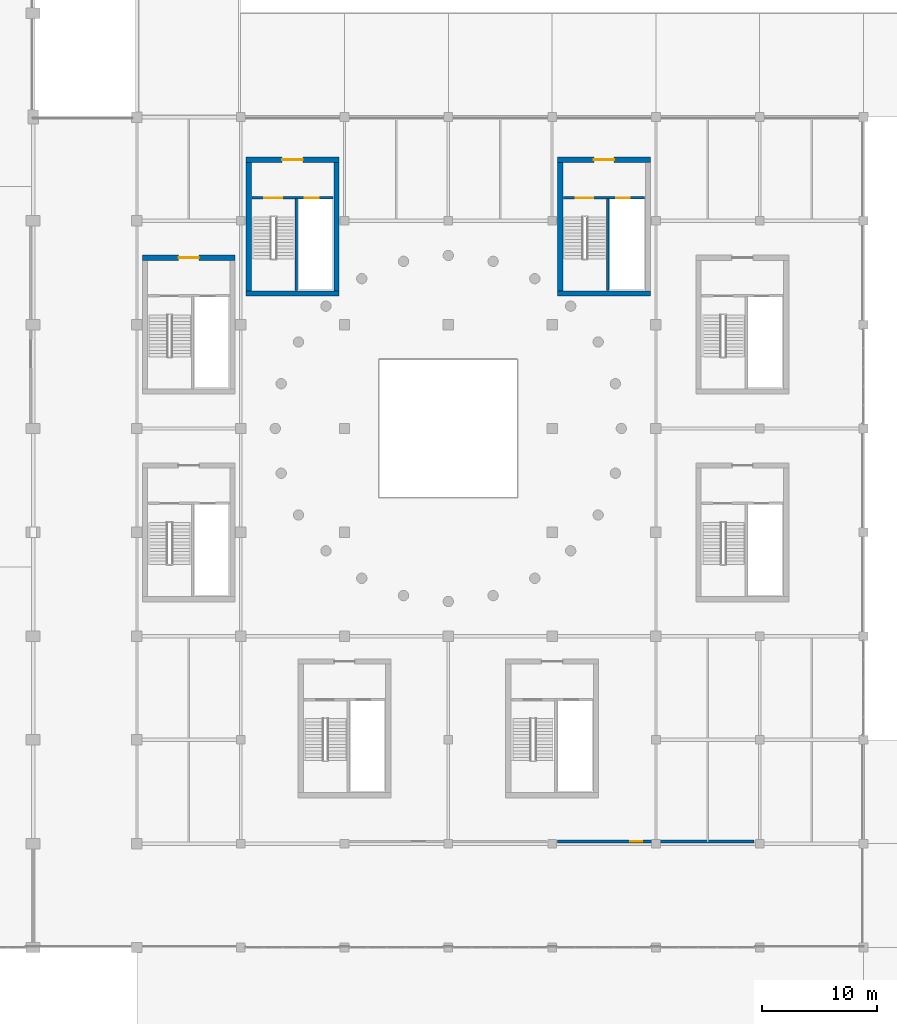
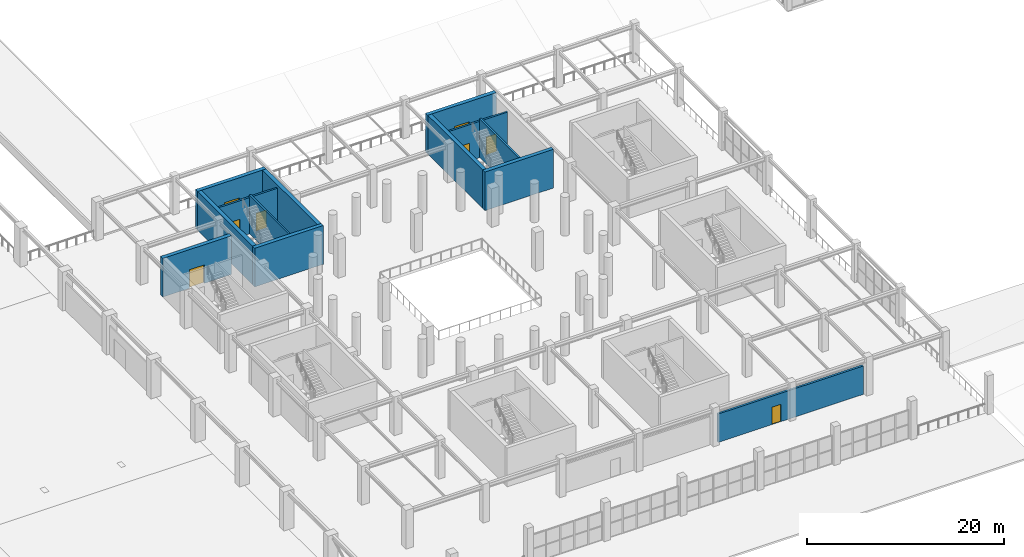
# One storey, part 63 of 89: 13 walls, 8 doors, 8 openings.
"""IFC4 building model written with IfcOpenShell, lengths in metres."""

from ifc_helpers import new_model, si_unit, direction, frame, frame_2d, origin, place, context, subcontext, project, spatial, rectangle, extrude, material, layer, layer_set, type_object, element, fill, save


model = new_model("IFC4")

# Units and contexts
model_context = context("Model", 3, precision=1e-05, world=origin(), true_north=direction((0.0, 1.0)))
body_context = subcontext(model_context, "Body", "Model", "MODEL_VIEW")
ifc_project = project(units=[si_unit("LENGTHUNIT", "METRE"), si_unit("AREAUNIT", "SQUARE_METRE"), si_unit("VOLUMEUNIT", "CUBIC_METRE"), si_unit("PLANEANGLEUNIT", "RADIAN"), si_unit("MASSUNIT", "GRAM", prefix="KILO")], contexts=[model_context])

# Site, building, storey
site_placement = place(None, origin())
site = spatial("IfcSite", under=ifc_project, at=site_placement, CompositionType="ELEMENT")
building_placement = place(site_placement, origin())
building = spatial("IfcBuilding", under=site, at=building_placement, Name="Dornveld Trade and Exhibition Forum", CompositionType="ELEMENT")
storey_placement = place(building_placement, frame((0.0, 0.0, 12.0)))
storey = spatial("IfcBuildingStorey", under=building, at=storey_placement, Name="L02", CompositionType="ELEMENT", Elevation=12.0)

# Wall
ifc_material_1 = material(Name="Concrete C40/50", Category="concrete")
ifc_layer_1 = layer(ifc_material_1, 0.449951171875)
ifc_layer_set_1 = layer_set([ifc_layer_1], Name="Concrete C40/50")
wall_type_1 = type_object("IfcWallType", Name="WL-CORE-450", PredefinedType="SHEAR", material=ifc_layer_set_1)
wall_1_placement = place(storey_placement, frame((126.47509765625, 92.699951171875, 0.0), z_axis=(0.0, 0.0, 1.0), x_axis=(1.0, 0.0, 0.0)))
element("IfcWall", 1, at=wall_1_placement, inside=storey, type_object=wall_type_1, Name="CORE-02 L02 shear wall S", PredefinedType="SHEAR", context=body_context, shape_type="SweptSolid", body=[
    extrude(rectangle(XDim=8.0498046875, YDim=0.449951171875, at=frame_2d((4.02490234375, 0.0))), origin(), (0.0, 0.0, 1.0), 4.800048828125),
])

# Wall, opening, door
wall_2_placement = place(storey_placement, frame((126.47509765625, 104.300048828125, 0.0), z_axis=(0.0, 0.0, 1.0), x_axis=(1.0, 0.0, 0.0)))
wall_2 = element("IfcWall", 2, at=wall_2_placement, inside=storey, type_object=wall_type_1, Name="CORE-02 L02 shear wall N", PredefinedType="SHEAR", context=body_context, shape_type="SweptSolid", body=[
    extrude(rectangle(XDim=8.0498046875, YDim=0.449951171875, at=frame_2d((4.02490234375, 0.0))), origin(), (0.0, 0.0, 1.0), 4.800048828125),
])
opening_1_placement = place(wall_2_placement, frame((3.14990234375, 0.0, 0.0)))
opening_1 = element("IfcOpeningElement", 3, at=opening_1_placement, cuts=wall_2, Name="Opening CD-02-L02", PredefinedType="OPENING", context=body_context, shape_type="SweptSolid", body=[
    extrude(rectangle(XDim=1.75, YDim=2.300048828125, at=frame_2d((0.875, 1.14990234375))), frame((0.0, 0.23486328125, 0.0), z_axis=(0.0, -1.0, 0.0), x_axis=(1.0, 0.0, 0.0)), (0.0, 0.0, 1.0), 0.469970703125),
])
ifc_material_2 = material(Name="Steel fire-rated double door assembly", Category="steel")
door_type_1 = type_object("IfcDoorType", Name="DR-CORE-175x230", OperationType="NOTDEFINED", PredefinedType="DOOR", material=ifc_material_2)
door_1_placement = place(opening_1_placement, origin())
door_1 = element("IfcDoor", 4, at=door_1_placement, inside=storey, type_object=door_type_1, Name="CORE-02 L02 core lobby double fire door", OperationType="DOUBLE_DOOR_SINGLE_SWING", OverallHeight=2.300048828125, OverallWidth=1.75, PredefinedType="DOOR", context=body_context, shape_type="SweptSolid", body=[
    extrude(rectangle(XDim=1.75, YDim=2.300048828125, at=frame_2d((0.875, 1.14990234375))), frame((0.0, 0.02490234375, 0.0), z_axis=(0.0, -1.0, 0.0), x_axis=(1.0, 0.0, 0.0)), (0.0, 0.0, 1.0), 0.050048828125),
])
fill(opening_1, door_1)

# Walls
wall_3_placement = place(storey_placement, frame((126.699951171875, 92.925048828125, 0.0), z_axis=(0.0, 0.0, 1.0), x_axis=(0.0, 1.0, 0.0)))
element("IfcWall", 5, at=wall_3_placement, inside=storey, type_object=wall_type_1, Name="CORE-02 L02 shear wall W", PredefinedType="SHEAR", context=body_context, shape_type="SweptSolid", body=[
    extrude(rectangle(XDim=11.14990234375, YDim=0.449951171875, at=frame_2d((5.574951171875, 0.0))), origin(), (0.0, 0.0, 1.0), 4.800048828125),
])
wall_4_placement = place(storey_placement, frame((99.47509765625, 92.699951171875, 0.0), z_axis=(0.0, 0.0, 1.0), x_axis=(1.0, 0.0, 0.0)))
element("IfcWall", 6, at=wall_4_placement, inside=storey, type_object=wall_type_1, Name="CORE-03 L02 shear wall S", PredefinedType="SHEAR", context=body_context, shape_type="SweptSolid", body=[
    extrude(rectangle(XDim=8.0498046875, YDim=0.449951171875, at=frame_2d((4.02490234375, 0.0))), origin(), (0.0, 0.0, 1.0), 4.800048828125),
])

# Wall, opening, door
wall_5_placement = place(storey_placement, frame((99.47509765625, 104.300048828125, 0.0), z_axis=(0.0, 0.0, 1.0), x_axis=(1.0, 0.0, 0.0)))
wall_5 = element("IfcWall", 7, at=wall_5_placement, inside=storey, type_object=wall_type_1, Name="CORE-03 L02 shear wall N", PredefinedType="SHEAR", context=body_context, shape_type="SweptSolid", body=[
    extrude(rectangle(XDim=8.0498046875, YDim=0.449951171875, at=frame_2d((4.02490234375, 0.0))), origin(), (0.0, 0.0, 1.0), 4.800048828125),
])
opening_2_placement = place(wall_5_placement, frame((3.125, 0.0, 0.0)))
opening_2 = element("IfcOpeningElement", 8, at=opening_2_placement, cuts=wall_5, Name="Opening CD-03-L02", PredefinedType="OPENING", context=body_context, shape_type="SweptSolid", body=[
    extrude(rectangle(XDim=1.800048828125, YDim=2.300048828125, at=frame_2d((0.89990234375, 1.14990234375))), frame((0.0, 0.23486328125, 0.0), z_axis=(0.0, -1.0, 0.0), x_axis=(1.0, 0.0, 0.0)), (0.0, 0.0, 1.0), 0.469970703125),
])
ifc_material_3 = material(Name="Steel fire-rated double door assembly", Category="steel")
door_type_2 = type_object("IfcDoorType", Name="DR-CORE-180x230", OperationType="NOTDEFINED", PredefinedType="DOOR", material=ifc_material_3)
door_2_placement = place(opening_2_placement, origin())
door_2 = element("IfcDoor", 9, at=door_2_placement, inside=storey, type_object=door_type_2, Name="CORE-03 L02 core lobby double fire door", OperationType="DOUBLE_DOOR_SINGLE_SWING", OverallHeight=2.300048828125, OverallWidth=1.800048828125, PredefinedType="DOOR", context=body_context, shape_type="SweptSolid", body=[
    extrude(rectangle(XDim=1.800048828125, YDim=2.300048828125, at=frame_2d((0.89990234375, 1.14990234375))), frame((0.0, 0.02490234375, 0.0), z_axis=(0.0, -1.0, 0.0), x_axis=(1.0, 0.0, 0.0)), (0.0, 0.0, 1.0), 0.050048828125),
])
fill(opening_2, door_2)

# Walls
for number, where, z_axis, x_axis, name in (
    (10, (99.699951171875, 92.925048828125, 0.0), (0.0, 0.0, 1.0), (0.0, 1.0, 0.0), "CORE-03 L02 shear wall W"),
    (11, (107.300048828125, 92.925048828125, 0.0), (0.0, 0.0, 1.0), (0.0, 1.0, 0.0), "CORE-03 L02 shear wall E"),
):
    element("IfcWall", number, at=place(storey_placement, frame(where, z_axis=z_axis, x_axis=x_axis)), inside=storey, type_object=wall_type_1, Name=name, PredefinedType="SHEAR", context=body_context, shape_type="SweptSolid", body=[
        extrude(rectangle(XDim=11.14990234375, YDim=0.449951171875, at=frame_2d((5.574951171875, 0.0))), origin(), (0.0, 0.0, 1.0), 4.800048828125),
    ])

# Wall, opening, door
wall_6_placement = place(storey_placement, frame((90.47509765625, 95.800048828125, 0.0), z_axis=(0.0, 0.0, 1.0), x_axis=(1.0, 0.0, 0.0)))
wall_6 = element("IfcWall", 12, at=wall_6_placement, inside=storey, type_object=wall_type_1, Name="CORE-04 L02 shear wall N", PredefinedType="SHEAR", context=body_context, shape_type="SweptSolid", body=[
    extrude(rectangle(XDim=8.0498046875, YDim=0.449951171875, at=frame_2d((4.02490234375, 0.0))), origin(), (0.0, 0.0, 1.0), 4.800048828125),
])
opening_3_placement = place(wall_6_placement, frame((3.14990234375, 0.0, 0.0)))
opening_3 = element("IfcOpeningElement", 13, at=opening_3_placement, cuts=wall_6, Name="Opening CD-04-L02", PredefinedType="OPENING", context=body_context, shape_type="SweptSolid", body=[
    extrude(rectangle(XDim=1.75, YDim=2.300048828125, at=frame_2d((0.875, 1.14990234375))), frame((0.0, 0.23486328125, 0.0), z_axis=(0.0, -1.0, 0.0), x_axis=(1.0, 0.0, 0.0)), (0.0, 0.0, 1.0), 0.469970703125),
])
door_3_placement = place(opening_3_placement, origin())
door_3 = element("IfcDoor", 14, at=door_3_placement, inside=storey, type_object=door_type_1, Name="CORE-04 L02 core lobby double fire door", OperationType="DOUBLE_DOOR_SINGLE_SWING", OverallHeight=2.300048828125, OverallWidth=1.75, PredefinedType="DOOR", context=body_context, shape_type="SweptSolid", body=[
    extrude(rectangle(XDim=1.75, YDim=2.300048828125, at=frame_2d((0.875, 1.14990234375))), frame((0.0, 0.02490234375, 0.0), z_axis=(0.0, -1.0, 0.0), x_axis=(1.0, 0.0, 0.0)), (0.0, 0.0, 1.0), 0.050048828125),
])
fill(opening_3, door_3)

ifc_material_4 = material(Name="Acoustic twin-stud gypsum and mineral wool", Category="gypsum")
ifc_layer_2 = layer(ifc_material_4, 0.25)
ifc_layer_set_2 = layer_set([ifc_layer_2], Name="Acoustic twin-stud gypsum and mineral wool")
wall_type_2 = type_object("IfcWallType", Name="WL-INT-AC250", PredefinedType="PARTITIONING", material=ifc_layer_set_2)
wall_7_placement = place(storey_placement, frame((126.47998046875, 45.199951171875, 0.0), z_axis=(0.0, 0.0, 1.0), x_axis=(1.0, 0.0, 0.0)))
wall_7 = element("IfcWall", 15, at=wall_7_placement, inside=storey, type_object=wall_type_2, Name="L02 interior partition 111", PredefinedType="PARTITIONING", context=body_context, shape_type="SweptSolid", body=[
    extrude(rectangle(XDim=17.0400390625, YDim=0.25, at=frame_2d((8.52001953125, 0.0))), origin(), (0.0, 0.0, 1.0), 3.52001953125),
])
opening_4_placement = place(wall_7_placement, frame((6.285888671875, 0.0, 0.0)))
opening_4 = element("IfcOpeningElement", 16, at=opening_4_placement, cuts=wall_7, Name="Opening MSD-15-074", PredefinedType="OPENING", context=body_context, shape_type="SweptSolid", body=[
    extrude(rectangle(XDim=1.06005859375, YDim=2.159912109375, at=frame_2d((0.530029296875, 1.080078125))), frame((0.0, 0.135009765625, 0.0), z_axis=(0.0, -1.0, 0.0), x_axis=(1.0, 0.0, 0.0)), (0.0, 0.0, 1.0), 0.27001953125),
])
ifc_material_5 = material(Name="Solid-core administration door", Category="wood")
door_type_3 = type_object("IfcDoorType", Name="DR-SUB-106x216", OperationType="NOTDEFINED", PredefinedType="DOOR", material=ifc_material_5)
door_4_placement = place(opening_4_placement, origin())
door_4 = element("IfcDoor", 17, at=door_4_placement, inside=storey, type_object=door_type_3, Name="L02 interior room door 74", OperationType="SINGLE_SWING_RIGHT", OverallHeight=2.159912109375, OverallWidth=1.06005859375, PredefinedType="DOOR", context=body_context, shape_type="SweptSolid", body=[
    extrude(rectangle(XDim=1.06005859375, YDim=2.159912109375, at=frame_2d((0.530029296875, 1.080078125))), frame((0.0, 0.02490234375, 0.0), z_axis=(0.0, -1.0, 0.0), x_axis=(1.0, 0.0, 0.0)), (0.0, 0.0, 1.0), 0.050048828125),
])
fill(opening_4, door_4)

# Wall, openings, doors
ifc_material_6 = material(Name="Concrete C40/50", Category="concrete")
ifc_layer_3 = layer(ifc_material_6, 0.219970703125)
ifc_layer_set_3 = layer_set([ifc_layer_3], Name="Concrete C40/50")
wall_type_3 = type_object("IfcWallType", Name="WL-INT-LOB220", PredefinedType="SOLIDWALL", material=ifc_layer_set_3)
wall_8_placement = place(storey_placement, frame((127.0, 101.0, 0.0), z_axis=(0.0, 0.0, 1.0), x_axis=(1.0, 0.0, 0.0)))
wall_8 = element("IfcWall", 18, at=wall_8_placement, inside=storey, type_object=wall_type_3, Name="CORE-02 L02 protected lobby bulkhead wall", PredefinedType="SOLIDWALL", context=body_context, shape_type="SweptSolid", body=[
    extrude(rectangle(XDim=7.0, YDim=0.219970703125, at=frame_2d((3.5, 0.0))), origin(), (0.0, 0.0, 1.0), 4.5),
])
opening_5_placement = place(wall_8_placement, frame((1.050048828125, 0.0, 0.0)))
opening_5 = element("IfcOpeningElement", 19, at=opening_5_placement, cuts=wall_8, Name="Opening SD-02-L02", PredefinedType="OPENING", context=body_context, shape_type="SweptSolid", body=[
    extrude(rectangle(XDim=1.5, YDim=2.199951171875, at=frame_2d((0.75, 1.10009765625))), frame((0.0, 0.119873046875, 0.0), z_axis=(0.0, -1.0, 0.0), x_axis=(1.0, 0.0, 0.0)), (0.0, 0.0, 1.0), 0.239990234375),
])
opening_6_placement = place(wall_8_placement, frame((4.550048828125, 0.0, 0.0)))
opening_6 = element("IfcOpeningElement", 20, at=opening_6_placement, cuts=wall_8, Name="Opening LD-02-L02", PredefinedType="OPENING", context=body_context, shape_type="SweptSolid", body=[
    extrude(rectangle(XDim=1.199951171875, YDim=2.199951171875, at=frame_2d((0.60009765625, 1.10009765625))), frame((0.0, 0.119873046875, 0.0), z_axis=(0.0, -1.0, 0.0), x_axis=(1.0, 0.0, 0.0)), (0.0, 0.0, 1.0), 0.239990234375),
])
ifc_material_7 = material(Name="Brushed stainless steel sliding lift landing door", Category="steel")
door_type_4 = type_object("IfcDoorType", Name="DR-LIFT-120x220", OperationType="NOTDEFINED", PredefinedType="DOOR", material=ifc_material_7)
door_5_placement = place(opening_6_placement, origin())
door_5 = element("IfcDoor", 21, at=door_5_placement, inside=storey, type_object=door_type_4, Name="CORE-02 L02 lift sliding landing door", OperationType="SLIDING_TO_RIGHT", OverallHeight=2.199951171875, OverallWidth=1.199951171875, PredefinedType="DOOR", context=body_context, shape_type="SweptSolid", body=[
    extrude(rectangle(XDim=1.199951171875, YDim=2.199951171875, at=frame_2d((0.60009765625, 1.10009765625))), frame((0.0, 0.02490234375, 0.0), z_axis=(0.0, -1.0, 0.0), x_axis=(1.0, 0.0, 0.0)), (0.0, 0.0, 1.0), 0.050048828125),
])
fill(opening_6, door_5)
ifc_material_8 = material(Name="Steel fire-rated stair door assembly", Category="steel")
door_type_5 = type_object("IfcDoorType", Name="DR-STAIR-150x220", OperationType="NOTDEFINED", PredefinedType="DOOR", material=ifc_material_8)
door_6_placement = place(opening_5_placement, origin())
door_6 = element("IfcDoor", 22, at=door_6_placement, inside=storey, type_object=door_type_5, Name="CORE-02 L02 protected stair door", OperationType="SINGLE_SWING_RIGHT", OverallHeight=2.199951171875, OverallWidth=1.5, PredefinedType="DOOR", context=body_context, shape_type="SweptSolid", body=[
    extrude(rectangle(XDim=1.5, YDim=2.199951171875, at=frame_2d((0.75, 1.10009765625))), frame((0.0, 0.02490234375, 0.0), z_axis=(0.0, -1.0, 0.0), x_axis=(1.0, 0.0, 0.0)), (0.0, 0.0, 1.0), 0.050048828125),
])
fill(opening_5, door_6)

wall_9_placement = place(storey_placement, frame((100.0, 101.0, 0.0), z_axis=(0.0, 0.0, 1.0), x_axis=(1.0, 0.0, 0.0)))
wall_9 = element("IfcWall", 23, at=wall_9_placement, inside=storey, type_object=wall_type_3, Name="CORE-03 L02 protected lobby bulkhead wall", PredefinedType="SOLIDWALL", context=body_context, shape_type="SweptSolid", body=[
    extrude(rectangle(XDim=7.0, YDim=0.219970703125, at=frame_2d((3.5, 0.0))), origin(), (0.0, 0.0, 1.0), 4.5),
])
opening_7_placement = place(wall_9_placement, frame((1.050048828125, 0.0, 0.0)))
opening_7 = element("IfcOpeningElement", 24, at=opening_7_placement, cuts=wall_9, Name="Opening SD-03-L02", PredefinedType="OPENING", context=body_context, shape_type="SweptSolid", body=[
    extrude(rectangle(XDim=1.550048828125, YDim=2.199951171875, at=frame_2d((0.77490234375, 1.10009765625))), frame((0.0, 0.119873046875, 0.0), z_axis=(0.0, -1.0, 0.0), x_axis=(1.0, 0.0, 0.0)), (0.0, 0.0, 1.0), 0.239990234375),
])
opening_8_placement = place(wall_9_placement, frame((4.550048828125, 0.0, 0.0)))
opening_8 = element("IfcOpeningElement", 25, at=opening_8_placement, cuts=wall_9, Name="Opening LD-03-L02", PredefinedType="OPENING", context=body_context, shape_type="SweptSolid", body=[
    extrude(rectangle(XDim=1.199951171875, YDim=2.199951171875, at=frame_2d((0.60009765625, 1.10009765625))), frame((0.0, 0.119873046875, 0.0), z_axis=(0.0, -1.0, 0.0), x_axis=(1.0, 0.0, 0.0)), (0.0, 0.0, 1.0), 0.239990234375),
])
door_7_placement = place(opening_8_placement, origin())
door_7 = element("IfcDoor", 26, at=door_7_placement, inside=storey, type_object=door_type_4, Name="CORE-03 L02 lift sliding landing door", OperationType="SLIDING_TO_LEFT", OverallHeight=2.199951171875, OverallWidth=1.199951171875, PredefinedType="DOOR", context=body_context, shape_type="SweptSolid", body=[
    extrude(rectangle(XDim=1.199951171875, YDim=2.199951171875, at=frame_2d((0.60009765625, 1.10009765625))), frame((0.0, 0.02490234375, 0.0), z_axis=(0.0, -1.0, 0.0), x_axis=(1.0, 0.0, 0.0)), (0.0, 0.0, 1.0), 0.050048828125),
])
fill(opening_8, door_7)
ifc_material_9 = material(Name="Steel fire-rated stair door assembly", Category="steel")
door_type_6 = type_object("IfcDoorType", Name="DR-STAIR-155x220", OperationType="NOTDEFINED", PredefinedType="DOOR", material=ifc_material_9)
door_8_placement = place(opening_7_placement, origin())
door_8 = element("IfcDoor", 27, at=door_8_placement, inside=storey, type_object=door_type_6, Name="CORE-03 L02 protected stair door", OperationType="SINGLE_SWING_LEFT", OverallHeight=2.199951171875, OverallWidth=1.550048828125, PredefinedType="DOOR", context=body_context, shape_type="SweptSolid", body=[
    extrude(rectangle(XDim=1.550048828125, YDim=2.199951171875, at=frame_2d((0.77490234375, 1.10009765625))), frame((0.0, 0.02490234375, 0.0), z_axis=(0.0, -1.0, 0.0), x_axis=(1.0, 0.0, 0.0)), (0.0, 0.0, 1.0), 0.050048828125),
])
fill(opening_7, door_8)

# Walls
ifc_material_10 = material(Name="Concrete C40/50", Category="concrete")
ifc_layer_4 = layer(ifc_material_10, 0.199951171875)
ifc_layer_set_4 = layer_set([ifc_layer_4], Name="Concrete C40/50")
wall_type_4 = type_object("IfcWallType", Name="WL-INT-SHAFT200", PredefinedType="SOLIDWALL", material=ifc_layer_set_4)
for number, where, z_axis, x_axis, name in (
    (28, (130.820068359375, 92.949951171875, 0.0), (0.0, 0.0, 1.0), (0.0, 1.0, 0.0), "CORE-02 L02 lift-stair structural shaft wall"),
    (29, (103.820068359375, 92.949951171875, 0.0), (0.0, 0.0, 1.0), (0.0, 1.0, 0.0), "CORE-03 L02 lift-stair structural shaft wall"),
):
    element("IfcWall", number, at=place(storey_placement, frame(where, z_axis=z_axis, x_axis=x_axis)), inside=storey, type_object=wall_type_4, Name=name, PredefinedType="SOLIDWALL", context=body_context, shape_type="SweptSolid", body=[
        extrude(rectangle(XDim=8.0, YDim=0.199951171875, at=frame_2d((4.0, 0.0))), origin(), (0.0, 0.0, 1.0), 4.800048828125),
    ])

save(model, "model.ifc")
